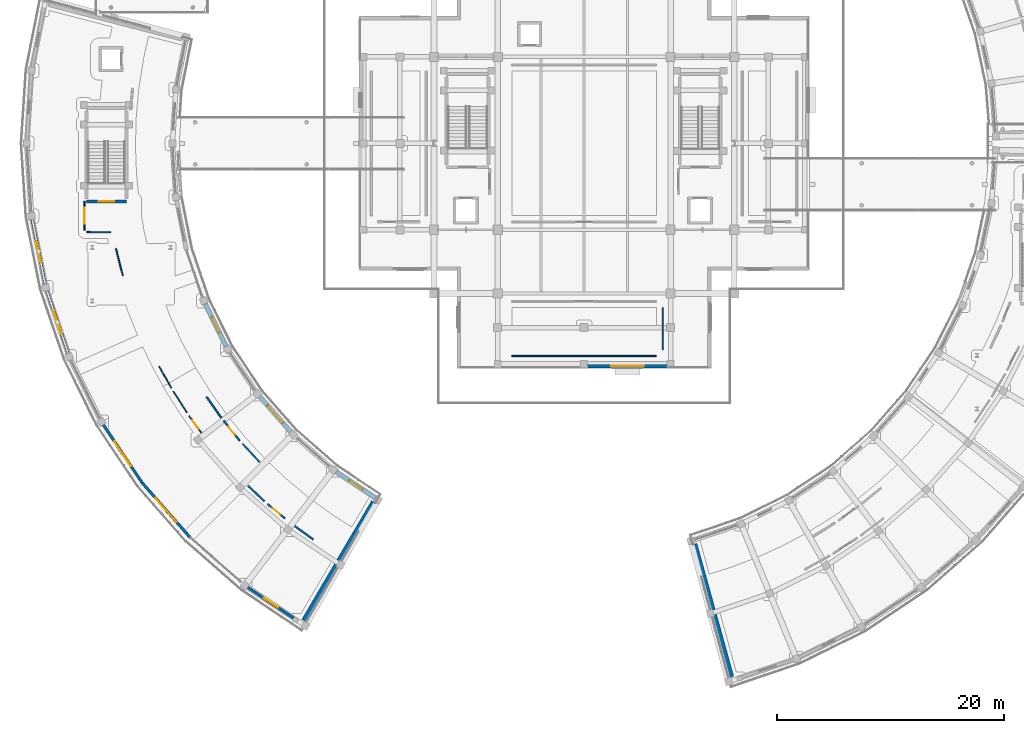
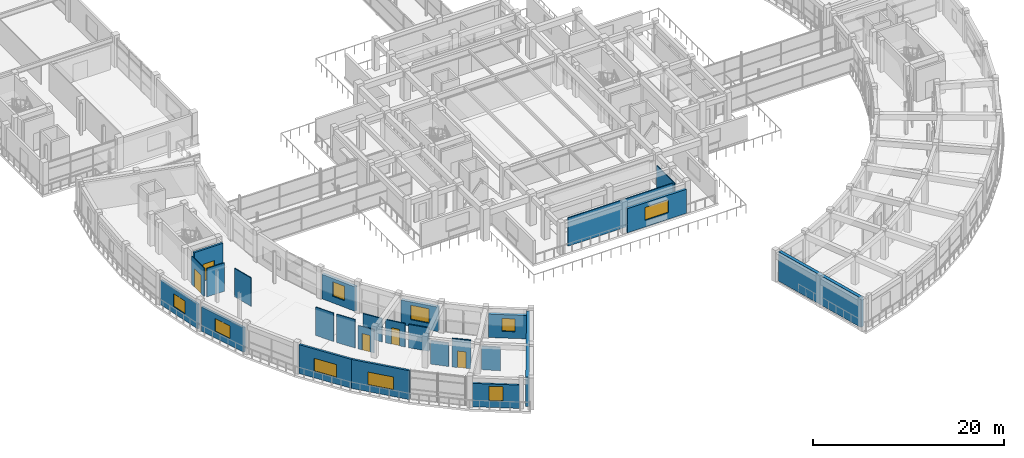
# One storey, part 47 of 72: 26 walls, 9 windows, 5 doors, 14 openings.
"""IFC4 building model written with IfcOpenShell, lengths in metres."""

from ifc_helpers import new_model, si_unit, direction, frame, frame_2d, origin, place, context, subcontext, project, spatial, rectangle, extrude, material, layer, layer_set, type_object, element, fill, save


model = new_model("IFC4")

# Units and contexts
model_context = context("Model", 3, precision=1e-05, world=origin(), true_north=direction((0.0, 1.0)))
body_context = subcontext(model_context, "Body", "Model", "MODEL_VIEW")
ifc_project = project(units=[si_unit("LENGTHUNIT", "METRE"), si_unit("AREAUNIT", "SQUARE_METRE"), si_unit("VOLUMEUNIT", "CUBIC_METRE"), si_unit("PLANEANGLEUNIT", "RADIAN"), si_unit("MASSUNIT", "GRAM", prefix="KILO")], contexts=[model_context])

# Site, building, storey
site_placement = place(None, origin())
site = spatial("IfcSite", under=ifc_project, at=site_placement, CompositionType="ELEMENT")
building_placement = place(site_placement, origin())
building = spatial("IfcBuilding", under=site, at=building_placement, Name="Saryqyr Civic Hall", CompositionType="ELEMENT")
storey_placement = place(building_placement, frame((0.0, 0.0, 17.25)))
storey = spatial("IfcBuildingStorey", under=building, at=storey_placement, Name="L04", CompositionType="ELEMENT", Elevation=17.25)

# Wall, opening, window
ifc_material_1 = material(Name="Precast concrete C40/50", Category="concrete")
ifc_layer_1 = layer(ifc_material_1, 0.239990234375, Name="Precast concrete C40/50")
ifc_layer_set_1 = layer_set([ifc_layer_1], Name="Precast concrete C40/50")
wall_type_1 = type_object("IfcWallType", Name="ENV-WAL-EXT-240", PredefinedType="STANDARD", material=ifc_layer_set_1)
wall_1_placement = place(storey_placement, frame((9.622802734375, 71.552978515625, 0.0), z_axis=(0.0, 0.0, 1.0), x_axis=(-0.195102625433, 0.980782833021, 0.0)))
wall_1 = element("IfcWall", 1, at=wall_1_placement, inside=storey, type_object=wall_type_1, Name="Exterior wall V4-EWO-L04-03", PredefinedType="STANDARD", context=body_context, shape_type="SweptSolid", body=[
    extrude(rectangle(XDim=5.93017578125, YDim=0.239990234375, at=frame_2d((2.965087890625, 0.0))), origin(), (0.0, 0.0, 1.0), 3.135009765625),
])
opening_1_placement = place(wall_1_placement, frame((2.0400390625, 0.0, 0.85009765625)))
opening_1 = element("IfcOpeningElement", 2, at=opening_1_placement, cuts=wall_1, Name="Opening W-20", PredefinedType="OPENING", context=body_context, shape_type="SweptSolid", body=[
    extrude(rectangle(XDim=1.85009765625, YDim=1.64990234375, at=frame_2d((0.925048828125, 0.824951171875))), frame((0.0, 0.1298828125, 0.0), z_axis=(0.0, -1.0, 0.0), x_axis=(1.0, 0.0, 0.0)), (0.0, 0.0, 1.0), 0.260009765625),
])
ifc_material_2 = material(Name="Anodised aluminium and triple low-E glass", Category="aluminium")
window_type_1 = type_object("IfcWindowType", Name="ENV-WIN-W20", PartitioningType="SINGLE_PANEL", PredefinedType="WINDOW", material=ifc_material_2)
window_1_placement = place(opening_1_placement, origin())
window_1 = element("IfcWindow", 3, at=window_1_placement, inside=storey, type_object=window_type_1, Name="Exterior ribbon window V4-L04-03", OverallHeight=1.64990234375, OverallWidth=1.85009765625, PartitioningType="SINGLE_PANEL", PredefinedType="WINDOW", context=body_context, shape_type="SweptSolid", body=[
    extrude(rectangle(XDim=1.85009765625, YDim=1.64990234375, at=frame_2d((0.925048828125, 0.824951171875))), frame((0.0, 0.030029296875, 0.0), z_axis=(0.0, -1.0, 0.0), x_axis=(1.0, 0.0, 0.0)), (0.0, 0.0, 1.0), 0.06005859375),
])
fill(opening_1, window_1)

wall_2_placement = place(storey_placement, frame((11.650146484375, 65.4833984375, 0.0), z_axis=(0.0, 0.0, 1.0), x_axis=(-0.321412703871, 0.946939213356, 0.0)))
wall_2 = element("IfcWall", 4, at=wall_2_placement, inside=storey, type_object=wall_type_1, Name="Exterior wall V4-EWO-L04-04", PredefinedType="STANDARD", context=body_context, shape_type="SweptSolid", body=[
    extrude(rectangle(XDim=5.913330078125, YDim=0.239990234375, at=frame_2d((2.95654296875, 0.0))), origin(), (0.0, 0.0, 1.0), 3.135009765625),
])
opening_2_placement = place(wall_2_placement, frame((1.906982421875, 0.0, 0.85009765625)))
opening_2 = element("IfcOpeningElement", 5, at=opening_2_placement, cuts=wall_2, Name="Opening W-21", PredefinedType="OPENING", context=body_context, shape_type="SweptSolid", body=[
    extrude(rectangle(XDim=2.10009765625, YDim=1.64990234375, at=frame_2d((1.050048828125, 0.824951171875))), frame((0.0, 0.1298828125, 0.0), z_axis=(0.0, -1.0, 0.0), x_axis=(1.0, 0.0, 0.0)), (0.0, 0.0, 1.0), 0.260009765625),
])
window_type_2 = type_object("IfcWindowType", Name="ENV-WIN-W21", PartitioningType="SINGLE_PANEL", PredefinedType="WINDOW", material=ifc_material_2)
window_2_placement = place(opening_2_placement, origin())
window_2 = element("IfcWindow", 6, at=window_2_placement, inside=storey, type_object=window_type_2, Name="Exterior ribbon window V4-L04-04", OverallHeight=1.64990234375, OverallWidth=2.10009765625, PartitioningType="SINGLE_PANEL", PredefinedType="WINDOW", context=body_context, shape_type="SweptSolid", body=[
    extrude(rectangle(XDim=2.10009765625, YDim=1.64990234375, at=frame_2d((1.050048828125, 0.824951171875))), frame((0.0, 0.030029296875, 0.0), z_axis=(0.0, -1.0, 0.0), x_axis=(1.0, 0.0, 0.0)), (0.0, 0.0, 1.0), 0.06005859375),
])
fill(opening_2, window_2)

wall_3_placement = place(storey_placement, frame((18.125732421875, 54.170654296875, 0.0), z_axis=(0.0, 0.0, 1.0), x_axis=(-0.555591845488, 0.831455170907, 0.0)))
wall_3 = element("IfcWall", 7, at=wall_3_placement, inside=storey, type_object=wall_type_1, Name="Exterior wall V4-EWO-L04-06", PredefinedType="STANDARD", context=body_context, shape_type="SweptSolid", body=[
    extrude(rectangle(XDim=6.126953125, YDim=0.239990234375, at=frame_2d((3.0634765625, 0.0))), origin(), (0.0, 0.0, 1.0), 3.699951171875),
])
opening_3_placement = place(wall_3_placement, frame((1.762939453125, 0.0, 0.85009765625)))
opening_3 = element("IfcOpeningElement", 8, at=opening_3_placement, cuts=wall_3, Name="Opening W-23", PredefinedType="OPENING", context=body_context, shape_type="SweptSolid", body=[
    extrude(rectangle(XDim=2.60009765625, YDim=1.64990234375, at=frame_2d((1.300048828125, 0.824951171875))), frame((0.0, 0.1298828125, 0.0), z_axis=(0.0, -1.0, 0.0), x_axis=(1.0, 0.0, 0.0)), (0.0, 0.0, 1.0), 0.260009765625),
])
window_type_3 = type_object("IfcWindowType", Name="ENV-WIN-W23", PartitioningType="SINGLE_PANEL", PredefinedType="WINDOW", material=ifc_material_2)
window_3_placement = place(opening_3_placement, origin())
window_3 = element("IfcWindow", 9, at=window_3_placement, inside=storey, type_object=window_type_3, Name="Exterior ribbon window V4-L04-06", OverallHeight=1.64990234375, OverallWidth=2.60009765625, PartitioningType="SINGLE_PANEL", PredefinedType="WINDOW", context=body_context, shape_type="SweptSolid", body=[
    extrude(rectangle(XDim=2.60009765625, YDim=1.64990234375, at=frame_2d((1.300048828125, 0.824951171875))), frame((0.0, 0.030029296875, 0.0), z_axis=(0.0, -1.0, 0.0), x_axis=(1.0, 0.0, 0.0)), (0.0, 0.0, 1.0), 0.06005859375),
])
fill(opening_3, window_3)

wall_4_placement = place(storey_placement, frame((22.351806640625, 49.351806640625, 0.0), z_axis=(0.0, 0.0, 1.0), x_axis=(-0.659350951881, 0.751835302612, 0.0)))
wall_4 = element("IfcWall", 10, at=wall_4_placement, inside=storey, type_object=wall_type_1, Name="Exterior wall V4-EWO-L04-07", PredefinedType="STANDARD", context=body_context, shape_type="SweptSolid", body=[
    extrude(rectangle(XDim=6.409423828125, YDim=0.239990234375, at=frame_2d((3.20458984375, 0.0))), origin(), (0.0, 0.0, 1.0), 3.699951171875),
])
opening_4_placement = place(wall_4_placement, frame((1.780029296875, 0.0, 0.85009765625)))
opening_4 = element("IfcOpeningElement", 11, at=opening_4_placement, cuts=wall_4, Name="Opening W-24", PredefinedType="OPENING", context=body_context, shape_type="SweptSolid", body=[
    extrude(rectangle(XDim=2.85009765625, YDim=1.64990234375, at=frame_2d((1.425048828125, 0.824951171875))), frame((0.0, 0.1298828125, 0.0), z_axis=(0.0, -1.0, 0.0), x_axis=(1.0, 0.0, 0.0)), (0.0, 0.0, 1.0), 0.260009765625),
])
window_type_4 = type_object("IfcWindowType", Name="ENV-WIN-W24", PartitioningType="SINGLE_PANEL", PredefinedType="WINDOW", material=ifc_material_2)
window_4_placement = place(opening_4_placement, origin())
window_4 = element("IfcWindow", 12, at=window_4_placement, inside=storey, type_object=window_type_4, Name="Exterior ribbon window V4-L04-07", OverallHeight=1.64990234375, OverallWidth=2.85009765625, PartitioningType="SINGLE_PANEL", PredefinedType="WINDOW", context=body_context, shape_type="SweptSolid", body=[
    extrude(rectangle(XDim=2.85009765625, YDim=1.64990234375, at=frame_2d((1.425048828125, 0.824951171875))), frame((0.0, 0.030029296875, 0.0), z_axis=(0.0, -1.0, 0.0), x_axis=(1.0, 0.0, 0.0)), (0.0, 0.0, 1.0), 0.06005859375),
])
fill(opening_4, window_4)

wall_5_placement = place(storey_placement, frame((31.49365234375, 42.2373046875, 0.0), z_axis=(0.0, 0.0, 1.0), x_axis=(-0.831469224941, 0.555570812747, 0.0)))
wall_5 = element("IfcWall", 13, at=wall_5_placement, inside=storey, type_object=wall_type_1, Name="Exterior wall V4-EWO-L04-09", PredefinedType="STANDARD", context=body_context, shape_type="SweptSolid", body=[
    extrude(rectangle(XDim=4.91650390625, YDim=0.239990234375, at=frame_2d((2.458251953125, 0.0))), origin(), (0.0, 0.0, 1.0), 2.985107421875),
])
opening_5_placement = place(wall_5_placement, frame((1.7080078125, 0.0, 0.85009765625)))
opening_5 = element("IfcOpeningElement", 14, at=opening_5_placement, cuts=wall_5, Name="Opening W-26", PredefinedType="OPENING", context=body_context, shape_type="SweptSolid", body=[
    extrude(rectangle(XDim=1.5, YDim=1.85009765625, at=frame_2d((0.75, 0.925048828125))), frame((0.0, 0.1298828125, 0.0), z_axis=(0.0, -1.0, 0.0), x_axis=(1.0, 0.0, 0.0)), (0.0, 0.0, 1.0), 0.260009765625),
])
window_type_5 = type_object("IfcWindowType", Name="ENV-WIN-W26", PartitioningType="SINGLE_PANEL", PredefinedType="WINDOW", material=ifc_material_2)
window_5_placement = place(opening_5_placement, origin())
window_5 = element("IfcWindow", 15, at=window_5_placement, inside=storey, type_object=window_type_5, Name="Exterior ribbon window V4-L04-09", OverallHeight=1.85009765625, OverallWidth=1.5, PartitioningType="SINGLE_PANEL", PredefinedType="WINDOW", context=body_context, shape_type="SweptSolid", body=[
    extrude(rectangle(XDim=1.5, YDim=1.85009765625, at=frame_2d((0.75, 0.925048828125))), frame((0.0, 0.030029296875, 0.0), z_axis=(0.0, -1.0, 0.0), x_axis=(1.0, 0.0, 0.0)), (0.0, 0.0, 1.0), 0.06005859375),
])
fill(opening_5, window_5)

ifc_layer_2 = layer(ifc_material_1, 0.2900390625, Name="Precast concrete C40/50")
ifc_layer_set_2 = layer_set([ifc_layer_2], Name="Precast concrete C40/50")
wall_type_2 = type_object("IfcWallType", Name="ENV-WAL-EXT-290", PredefinedType="STANDARD", material=ifc_layer_set_2)
wall_6_placement = place(storey_placement, frame((64.364990234375, 64.39990234375, 0.0), z_axis=(0.0, 0.0, 1.0), x_axis=(-1.0, 0.0, 0.0)))
wall_6 = element("IfcWall", 16, at=wall_6_placement, inside=storey, type_object=wall_type_2, Name="Exterior wall V1-EW-L04-11", PredefinedType="STANDARD", context=body_context, shape_type="SweptSolid", body=[
    extrude(rectangle(XDim=7.1298828125, YDim=0.2900390625, at=frame_2d((3.56494140625, 0.0))), origin(), (0.0, 0.0, 1.0), 3.0849609375),
])
opening_6_placement = place(wall_6_placement, frame((2.139892578125, 0.0, 0.85009765625)))
opening_6 = element("IfcOpeningElement", 17, at=opening_6_placement, cuts=wall_6, Name="Opening W-24", PredefinedType="OPENING", context=body_context, shape_type="SweptSolid", body=[
    extrude(rectangle(XDim=2.85009765625, YDim=1.64990234375, at=frame_2d((1.425048828125, 0.824951171875))), frame((0.0, 0.155029296875, 0.0), z_axis=(0.0, -1.0, 0.0), x_axis=(1.0, 0.0, 0.0)), (0.0, 0.0, 1.0), 0.31005859375),
])
window_6_placement = place(opening_6_placement, origin())
window_6 = element("IfcWindow", 18, at=window_6_placement, inside=storey, type_object=window_type_4, Name="Chamber cluster window L04-11", OverallHeight=1.64990234375, OverallWidth=2.85009765625, PartitioningType="SINGLE_PANEL", PredefinedType="WINDOW", context=body_context, shape_type="SweptSolid", body=[
    extrude(rectangle(XDim=2.85009765625, YDim=1.64990234375, at=frame_2d((1.425048828125, 0.824951171875))), frame((0.0, 0.030029296875, 0.0), z_axis=(0.0, -1.0, 0.0), x_axis=(1.0, 0.0, 0.0)), (0.0, 0.0, 1.0), 0.06005859375),
])
fill(opening_6, window_6)

ifc_layer_3 = layer(ifc_material_1, 0.340087890625, Name="Precast concrete C40/50")
ifc_layer_set_3 = layer_set([ifc_layer_3], Name="Precast concrete C40/50")
wall_type_3 = type_object("IfcWallType", Name="ENV-WAL-EXT-340", PredefinedType="STANDARD", material=ifc_layer_set_3)
wall_7_placement = place(storey_placement, frame((23.67138671875, 69.911865234375, 0.0), z_axis=(0.0, 0.0, 1.0), x_axis=(0.442290567666, -0.896871815676, 0.0)))
wall_7 = element("IfcWall", 19, at=wall_7_placement, inside=storey, type_object=wall_type_3, Name="Exterior wall V4-EWI-L04-05", PredefinedType="STANDARD", context=body_context, shape_type="SweptSolid", body=[
    extrude(rectangle(XDim=4.211181640625, YDim=0.340087890625, at=frame_2d((2.10546875, 0.0))), origin(), (0.0, 0.0, 1.0), 3.135009765625),
])
opening_7_placement = place(wall_7_placement, frame((1.35595703125, 0.0, 0.85009765625)))
opening_7 = element("IfcOpeningElement", 20, at=opening_7_placement, cuts=wall_7, Name="Opening W-26", PredefinedType="OPENING", context=body_context, shape_type="SweptSolid", body=[
    extrude(rectangle(XDim=1.5, YDim=1.85009765625, at=frame_2d((0.75, 0.925048828125))), frame((0.0, 0.179931640625, 0.0), z_axis=(0.0, -1.0, 0.0), x_axis=(1.0, 0.0, 0.0)), (0.0, 0.0, 1.0), 0.360107421875),
])
window_7_placement = place(opening_7_placement, origin())
window_7 = element("IfcWindow", 21, at=window_7_placement, inside=storey, type_object=window_type_5, Name="Courtyard window V4-L04-05", OverallHeight=1.85009765625, OverallWidth=1.5, PartitioningType="SINGLE_PANEL", PredefinedType="WINDOW", context=body_context, shape_type="SweptSolid", body=[
    extrude(rectangle(XDim=1.5, YDim=1.85009765625, at=frame_2d((0.75, 0.925048828125))), frame((0.0, 0.030029296875, 0.0), z_axis=(0.0, -1.0, 0.0), x_axis=(1.0, 0.0, 0.0)), (0.0, 0.0, 1.0), 0.06005859375),
])
fill(opening_7, window_7)

wall_8_placement = place(storey_placement, frame((28.48681640625, 61.727783203125, 0.0), z_axis=(0.0, 0.0, 1.0), x_axis=(0.659315893108, -0.751866047308, 0.0)))
wall_8 = element("IfcWall", 22, at=wall_8_placement, inside=storey, type_object=wall_type_3, Name="Exterior wall V4-EWI-L04-07", PredefinedType="STANDARD", context=body_context, shape_type="SweptSolid", body=[
    extrude(rectangle(XDim=4.10986328125, YDim=0.340087890625, at=frame_2d((2.054931640625, 0.0))), origin(), (0.0, 0.0, 1.0), 3.135009765625),
])
opening_8_placement = place(wall_8_placement, frame((1.054931640625, 0.0, 0.85009765625)))
opening_8 = element("IfcOpeningElement", 23, at=opening_8_placement, cuts=wall_8, Name="Opening W-28", PredefinedType="OPENING", context=body_context, shape_type="SweptSolid", body=[
    extrude(rectangle(XDim=2.0, YDim=1.85009765625, at=frame_2d((1.0, 0.925048828125))), frame((0.0, 0.179931640625, 0.0), z_axis=(0.0, -1.0, 0.0), x_axis=(1.0, 0.0, 0.0)), (0.0, 0.0, 1.0), 0.360107421875),
])
window_type_6 = type_object("IfcWindowType", Name="ENV-WIN-W28", PartitioningType="SINGLE_PANEL", PredefinedType="WINDOW", material=ifc_material_2)
window_8_placement = place(opening_8_placement, origin())
window_8 = element("IfcWindow", 24, at=window_8_placement, inside=storey, type_object=window_type_6, Name="Courtyard window V4-L04-07", OverallHeight=1.85009765625, OverallWidth=2.0, PartitioningType="SINGLE_PANEL", PredefinedType="WINDOW", context=body_context, shape_type="SweptSolid", body=[
    extrude(rectangle(XDim=2.0, YDim=1.85009765625, at=frame_2d((1.0, 0.925048828125))), frame((0.0, 0.030029296875, 0.0), z_axis=(0.0, -1.0, 0.0), x_axis=(1.0, 0.0, 0.0)), (0.0, 0.0, 1.0), 0.06005859375),
])
fill(opening_8, window_8)

wall_9_placement = place(storey_placement, frame((35.19775390625, 55.12353515625, 0.0), z_axis=(0.0, 0.0, 1.0), x_axis=(0.831482404849, -0.555551087144, 0.0)))
wall_9 = element("IfcWall", 25, at=wall_9_placement, inside=storey, type_object=wall_type_3, Name="Exterior wall V4-EWI-L04-09", PredefinedType="STANDARD", context=body_context, shape_type="SweptSolid", body=[
    extrude(rectangle(XDim=4.169921875, YDim=0.340087890625, at=frame_2d((2.0849609375, 0.0))), origin(), (0.0, 0.0, 1.0), 2.985107421875),
])
opening_9_placement = place(wall_9_placement, frame((1.385009765625, 0.0, 0.85009765625)))
opening_9 = element("IfcOpeningElement", 26, at=opening_9_placement, cuts=wall_9, Name="Opening W-18", PredefinedType="OPENING", context=body_context, shape_type="SweptSolid", body=[
    extrude(rectangle(XDim=1.39990234375, YDim=1.64990234375, at=frame_2d((0.699951171875, 0.824951171875))), frame((0.0, 0.179931640625, 0.0), z_axis=(0.0, -1.0, 0.0), x_axis=(1.0, 0.0, 0.0)), (0.0, 0.0, 1.0), 0.360107421875),
])
window_type_7 = type_object("IfcWindowType", Name="ENV-WIN-W18", PartitioningType="SINGLE_PANEL", PredefinedType="WINDOW", material=ifc_material_2)
window_9_placement = place(opening_9_placement, origin())
window_9 = element("IfcWindow", 27, at=window_9_placement, inside=storey, type_object=window_type_7, Name="Courtyard window V4-L04-09", OverallHeight=1.64990234375, OverallWidth=1.39990234375, PartitioningType="SINGLE_PANEL", PredefinedType="WINDOW", context=body_context, shape_type="SweptSolid", body=[
    extrude(rectangle(XDim=1.39990234375, YDim=1.64990234375, at=frame_2d((0.699951171875, 0.824951171875))), frame((0.0, 0.030029296875, 0.0), z_axis=(0.0, -1.0, 0.0), x_axis=(1.0, 0.0, 0.0)), (0.0, 0.0, 1.0), 0.06005859375),
])
fill(opening_9, window_9)

# Walls
ifc_material_3 = material(Name="Concrete C40/50", Category="concrete")
ifc_layer_4 = layer(ifc_material_3, 0.3798828125, Name="Concrete C40/50")
ifc_layer_set_4 = layer_set([ifc_layer_4], Name="Concrete C40/50")
wall_type_4 = type_object("IfcWallType", Name="ENV-WAL-PTY-380", PredefinedType="SHEAR", material=ifc_layer_set_4)
for number, where, z_axis, x_axis, name in (
    (28, (38.47705078125, 52.4912109375, 0.0), (0.0, 0.0, 1.0), (-0.506804958987, -0.862060748177, 0.0), "Exterior wall V4-JNTW-B-L04"),
    (29, (69.960205078125, 37.108154296875, 0.0), (0.0, 0.0, 1.0), (-0.266399016259, 0.963862834711, 0.0), "Exterior wall V5-JNTW-A-L04"),
):
    element("IfcWall", number, at=place(storey_placement, frame(where, z_axis=z_axis, x_axis=x_axis)), inside=storey, type_object=wall_type_4, Name=name, PredefinedType="SHEAR", context=body_context, shape_type="SweptSolid", body=[
        extrude(rectangle(XDim=12.099853515625, YDim=0.3798828125, at=frame_2d((6.0498046875, 0.0))), origin(), (0.0, 0.0, 1.0), 3.75),
    ])

# Wall, opening, door
ifc_material_4 = material(Name="Lightweight demountable partition", Category="gypsum")
ifc_layer_5 = layer(ifc_material_4, 0.094970703125, Name="Lightweight demountable partition")
ifc_layer_set_5 = layer_set([ifc_layer_5], Name="Lightweight demountable partition")
wall_type_5 = type_object("IfcWallType", Name="INT-WAL-PRT-095", PredefinedType="PARTITIONING", material=ifc_layer_set_5)
wall_10_placement = place(storey_placement, frame((22.274658203125, 60.030029296875, 0.0), z_axis=(0.0, 0.0, 1.0), x_axis=(0.589192228634, -0.807992894596, 0.0)))
wall_10 = element("IfcWall", 30, at=wall_10_placement, inside=storey, type_object=wall_type_5, Name="Interior partition PRT-SP-V4-L04-R02-W1", PredefinedType="PARTITIONING", context=body_context, shape_type="SweptSolid", body=[
    extrude(rectangle(XDim=1.81982421875, YDim=0.094970703125, at=frame_2d((0.909912109375, 0.0))), origin(), (0.0, 0.0, 1.0), 2.985107421875),
])
opening_10_placement = place(wall_10_placement, frame((0.4599609375, 0.0, 0.0)))
opening_10 = element("IfcOpeningElement", 31, at=opening_10_placement, cuts=wall_10, Name="Opening D-01", PredefinedType="OPENING", context=body_context, shape_type="SweptSolid", body=[
    extrude(rectangle(XDim=0.89990234375, YDim=2.10009765625, at=frame_2d((0.449951171875, 1.050048828125))), frame((0.0, 0.057373046875, 0.0), z_axis=(0.0, -1.0, 0.0), x_axis=(1.0, 0.0, 0.0)), (0.0, 0.0, 1.0), 0.114990234375),
])
ifc_material_5 = material(Name="Acoustic solid-core oak veneer", Category="wood")
door_type_1 = type_object("IfcDoorType", Name="INT-DR-D-01", OperationType="NOTDEFINED", PredefinedType="DOOR", material=ifc_material_5)
door_1_placement = place(opening_10_placement, origin())
door_1 = element("IfcDoor", 32, at=door_1_placement, inside=storey, type_object=door_type_1, Name="Interior door Canteen Servery & Finishing Kitchen", OperationType="SINGLE_SWING_LEFT", OverallHeight=2.10009765625, OverallWidth=0.89990234375, PredefinedType="DOOR", context=body_context, shape_type="SweptSolid", body=[
    extrude(rectangle(XDim=0.89990234375, YDim=2.10009765625, at=frame_2d((0.449951171875, 1.050048828125))), frame((0.0, 0.02490234375, 0.0), z_axis=(0.0, -1.0, 0.0), x_axis=(1.0, 0.0, 0.0)), (0.0, 0.0, 1.0), 0.050048828125),
])
fill(opening_10, door_1)

# Walls
wall_11_placement = place(storey_placement, frame((20.890380859375, 62.171142578125, 0.0), z_axis=(0.0, 0.0, 1.0), x_axis=(0.539325717733, -0.842097245092, 0.0)))
element("IfcWall", 33, at=wall_11_placement, inside=storey, type_object=wall_type_5, Name="Interior partition PRT-SP-V4-L04-R02-W2", PredefinedType="PARTITIONING", context=body_context, shape_type="SweptSolid", body=[
    extrude(rectangle(XDim=2.18994140625, YDim=0.094970703125, at=frame_2d((1.094970703125, 0.0))), origin(), (0.0, 0.0, 1.0), 3.6298828125),
])
wall_12_placement = place(storey_placement, frame((19.6376953125, 64.391845703125, 0.0), z_axis=(0.0, 0.0, 1.0), x_axis=(0.487553960074, -0.873092856469, 0.0)))
element("IfcWall", 34, at=wall_12_placement, inside=storey, type_object=wall_type_5, Name="Interior partition PRT-SP-V4-L04-R02-W3", PredefinedType="PARTITIONING", context=body_context, shape_type="SweptSolid", body=[
    extrude(rectangle(XDim=2.189697265625, YDim=0.094970703125, at=frame_2d((1.0947265625, 0.0))), origin(), (0.0, 0.0, 1.0), 3.6298828125),
])

# Wall, opening, door
ifc_material_6 = material(Name="Moisture-resistant gypsum partition", Category="gypsum")
ifc_layer_6 = layer(ifc_material_6, 0.110107421875, Name="Moisture-resistant gypsum partition")
ifc_layer_set_6 = layer_set([ifc_layer_6], Name="Moisture-resistant gypsum partition")
wall_type_6 = type_object("IfcWallType", Name="INT-WAL-PRT-110", PredefinedType="PARTITIONING", material=ifc_layer_set_6)
wall_13_placement = place(storey_placement, frame((13.080078125, 78.922119140625, 0.0), z_axis=(0.0, 0.0, 1.0), x_axis=(0.0, -1.0, 0.0)))
wall_13 = element("IfcWall", 35, at=wall_13_placement, inside=storey, type_object=wall_type_6, Name="Interior partition PRT-SP-V4-L04-R01-W1", PredefinedType="PARTITIONING", context=body_context, shape_type="SweptSolid", body=[
    extrude(rectangle(XDim=2.544189453125, YDim=0.110107421875, at=frame_2d((1.27197265625, 0.0))), origin(), (0.0, 0.0, 1.0), 3.6298828125),
])
opening_11_placement = place(wall_13_placement, frame((0.572021484375, 0.0, 0.0)))
opening_11 = element("IfcOpeningElement", 36, at=opening_11_placement, cuts=wall_13, Name="Opening D-18", PredefinedType="OPENING", context=body_context, shape_type="SweptSolid", body=[
    extrude(rectangle(XDim=1.39990234375, YDim=2.35009765625, at=frame_2d((0.699951171875, 1.175048828125))), frame((0.0, 0.06494140625, 0.0), z_axis=(0.0, -1.0, 0.0), x_axis=(1.0, 0.0, 0.0)), (0.0, 0.0, 1.0), 0.130126953125),
])
door_type_2 = type_object("IfcDoorType", Name="INT-DR-D-18", OperationType="NOTDEFINED", PredefinedType="DOOR", material=ifc_material_5)
door_2_placement = place(opening_11_placement, origin())
door_2 = element("IfcDoor", 37, at=door_2_placement, inside=storey, type_object=door_type_2, Name="Interior door Staff Dining Hall & Steppe Panorama Canteen", OperationType="SINGLE_SWING_RIGHT", OverallHeight=2.35009765625, OverallWidth=1.39990234375, PredefinedType="DOOR", context=body_context, shape_type="SweptSolid", body=[
    extrude(rectangle(XDim=1.39990234375, YDim=2.35009765625, at=frame_2d((0.699951171875, 1.175048828125))), frame((0.0, 0.02490234375, 0.0), z_axis=(0.0, -1.0, 0.0), x_axis=(1.0, 0.0, 0.0)), (0.0, 0.0, 1.0), 0.050048828125),
])
fill(opening_11, door_2)

# Walls
wall_14_placement = place(storey_placement, frame((15.375, 76.181396484375, 0.0), z_axis=(0.0, 0.0, 1.0), x_axis=(-0.999973557821, 0.007272115219, 0.0)))
element("IfcWall", 38, at=wall_14_placement, inside=storey, type_object=wall_type_6, Name="Interior partition PRT-SP-V4-L04-R01-W2", PredefinedType="PARTITIONING", context=body_context, shape_type="SweptSolid", body=[
    extrude(rectangle(XDim=2.114990234375, YDim=0.110107421875, at=frame_2d((1.0576171875, 0.0))), origin(), (0.0, 0.0, 1.0), 3.6298828125),
])
wall_15_placement = place(storey_placement, frame((15.830322265625, 74.75732421875, 0.0), z_axis=(0.0, 0.0, 1.0), x_axis=(0.247672160678, -0.968843899101, 0.0)))
element("IfcWall", 39, at=wall_15_placement, inside=storey, type_object=wall_type_6, Name="Interior partition PRT-SP-V4-L04-R01-W3", PredefinedType="PARTITIONING", context=body_context, shape_type="SweptSolid", body=[
    extrude(rectangle(XDim=2.481201171875, YDim=0.110107421875, at=frame_2d((1.24072265625, 0.0))), origin(), (0.0, 0.0, 1.0), 3.6298828125),
])
wall_16_placement = place(storey_placement, frame((63.35009765625, 65.300048828125, 0.0), z_axis=(0.0, 0.0, 1.0), x_axis=(-1.0, 0.0, 0.0)))
element("IfcWall", 40, at=wall_16_placement, inside=storey, type_object=wall_type_6, Name="Interior partition PRT-SP-V1-L04-R02-W2", PredefinedType="PARTITIONING", context=body_context, shape_type="SweptSolid", body=[
    extrude(rectangle(XDim=12.7001953125, YDim=0.110107421875, at=frame_2d((6.35009765625, 0.0))), origin(), (0.0, 0.0, 1.0), 3.6201171875),
])
wall_17_placement = place(storey_placement, frame((63.89990234375, 69.550048828125, 0.0), z_axis=(0.0, 0.0, 1.0), x_axis=(0.0, -1.0, 0.0)))
element("IfcWall", 41, at=wall_17_placement, inside=storey, type_object=wall_type_6, Name="Interior partition PRT-SP-V1-L04-R02-W3", PredefinedType="PARTITIONING", context=body_context, shape_type="SweptSolid", body=[
    extrude(rectangle(XDim=3.699951171875, YDim=0.110107421875, at=frame_2d((1.85009765625, 0.0))), origin(), (0.0, 0.0, 1.0), 3.0849609375),
])

# Wall, opening, door
ifc_material_7 = material(Name="Metal-stud gypsum board partition", Category="gypsum")
ifc_layer_7 = layer(ifc_material_7, 0.139892578125, Name="Metal-stud gypsum board partition")
ifc_layer_set_7 = layer_set([ifc_layer_7], Name="Metal-stud gypsum board partition")
wall_type_7 = type_object("IfcWallType", Name="INT-WAL-PRT-140", PredefinedType="PARTITIONING", material=ifc_layer_set_7)
wall_18_placement = place(storey_placement, frame((26.720703125, 57.870849609375, 0.0), z_axis=(0.0, 0.0, 1.0), x_axis=(-0.631919089096, 0.775034363649, 0.0)))
wall_18 = element("IfcWall", 42, at=wall_18_placement, inside=storey, type_object=wall_type_7, Name="Interior partition PRT-SP-V4-L04-R05-W1", PredefinedType="PARTITIONING", context=body_context, shape_type="SweptSolid", body=[
    extrude(rectangle(XDim=2.2294921875, YDim=0.139892578125, at=frame_2d((1.11474609375, 0.0))), origin(), (0.0, 0.0, 1.0), 2.985107421875),
])
opening_12_placement = place(wall_18_placement, frame((0.6650390625, 0.0, 0.0)))
opening_12 = element("IfcOpeningElement", 43, at=opening_12_placement, cuts=wall_18, Name="Opening D-01", PredefinedType="OPENING", context=body_context, shape_type="SweptSolid", body=[
    extrude(rectangle(XDim=0.89990234375, YDim=2.10009765625, at=frame_2d((0.449951171875, 1.050048828125))), frame((0.0, 0.079833984375, 0.0), z_axis=(0.0, -1.0, 0.0), x_axis=(1.0, 0.0, 0.0)), (0.0, 0.0, 1.0), 0.159912109375),
])
door_3_placement = place(opening_12_placement, origin())
door_3 = element("IfcDoor", 44, at=door_3_placement, inside=storey, type_object=door_type_1, Name="Interior door Staff Quiet Lounge & Prayer Room", OperationType="SINGLE_SWING_RIGHT", OverallHeight=2.10009765625, OverallWidth=0.89990234375, PredefinedType="DOOR", context=body_context, shape_type="SweptSolid", body=[
    extrude(rectangle(XDim=0.89990234375, YDim=2.10009765625, at=frame_2d((0.449951171875, 1.050048828125))), frame((0.0, 0.02490234375, 0.0), z_axis=(0.0, -1.0, 0.0), x_axis=(1.0, 0.0, 0.0)), (0.0, 0.0, 1.0), 0.050048828125),
])
fill(opening_12, door_3)

# Walls
wall_19_placement = place(storey_placement, frame((28.47509765625, 55.96630859375, 0.0), z_axis=(0.0, 0.0, 1.0), x_axis=(-0.680795385987, 0.732473646229, 0.0)))
element("IfcWall", 45, at=wall_19_placement, inside=storey, type_object=wall_type_7, Name="Interior partition PRT-SP-V4-L04-R05-W2", PredefinedType="PARTITIONING", context=body_context, shape_type="SweptSolid", body=[
    extrude(rectangle(XDim=2.229736328125, YDim=0.139892578125, at=frame_2d((1.11474609375, 0.0))), origin(), (0.0, 0.0, 1.0), 2.985107421875),
])
wall_20_placement = place(storey_placement, frame((25.093505859375, 59.885009765625, 0.0), z_axis=(0.0, 0.0, 1.0), x_axis=(-0.580533534735, 0.81423633857, 0.0)))
element("IfcWall", 46, at=wall_20_placement, inside=storey, type_object=wall_type_7, Name="Interior partition PRT-SP-V4-L04-R05-W3", PredefinedType="PARTITIONING", context=body_context, shape_type="SweptSolid", body=[
    extrude(rectangle(XDim=2.229248046875, YDim=0.139892578125, at=frame_2d((1.11474609375, 0.0))), origin(), (0.0, 0.0, 1.0), 2.985107421875),
])

# Wall, opening, door
ifc_material_8 = material(Name="Acoustic double-stud gypsum board", Category="gypsum")
ifc_layer_8 = layer(ifc_material_8, 0.169921875, Name="Acoustic double-stud gypsum board")
ifc_layer_set_8 = layer_set([ifc_layer_8], Name="Acoustic double-stud gypsum board")
wall_type_8 = type_object("IfcWallType", Name="INT-WAL-PRT-170", PredefinedType="PARTITIONING", material=ifc_layer_set_8)
wall_21_placement = place(storey_placement, frame((29.159423828125, 52.293701171875, 0.0), z_axis=(0.0, 0.0, 1.0), x_axis=(0.769718499722, -0.638383451528, 0.0)))
wall_21 = element("IfcWall", 47, at=wall_21_placement, inside=storey, type_object=wall_type_8, Name="Interior partition PRT-SP-V4-L04-R03-W1", PredefinedType="PARTITIONING", context=body_context, shape_type="SweptSolid", body=[
    extrude(rectangle(XDim=2.001953125, YDim=0.169921875, at=frame_2d((1.0009765625, 0.0))), origin(), (0.0, 0.0, 1.0), 3.6298828125),
])
opening_13_placement = place(wall_21_placement, frame((0.551025390625, 0.0, 0.0)))
opening_13 = element("IfcOpeningElement", 48, at=opening_13_placement, cuts=wall_21, Name="Opening D-01", PredefinedType="OPENING", context=body_context, shape_type="SweptSolid", body=[
    extrude(rectangle(XDim=0.89990234375, YDim=2.10009765625, at=frame_2d((0.449951171875, 1.050048828125))), frame((0.0, 0.094970703125, 0.0), z_axis=(0.0, -1.0, 0.0), x_axis=(1.0, 0.0, 0.0)), (0.0, 0.0, 1.0), 0.18994140625),
])
door_4_placement = place(opening_13_placement, origin())
door_4 = element("IfcDoor", 49, at=door_4_placement, inside=storey, type_object=door_type_1, Name="Interior door Staff Restroom & Accessible MGN WC L04-W", OperationType="SINGLE_SWING_RIGHT", OverallHeight=2.10009765625, OverallWidth=0.89990234375, PredefinedType="DOOR", context=body_context, shape_type="SweptSolid", body=[
    extrude(rectangle(XDim=0.89990234375, YDim=2.10009765625, at=frame_2d((0.449951171875, 1.050048828125))), frame((0.0, 0.02490234375, 0.0), z_axis=(0.0, -1.0, 0.0), x_axis=(1.0, 0.0, 0.0)), (0.0, 0.0, 1.0), 0.050048828125),
])
fill(opening_13, door_4)

# Walls
wall_22_placement = place(storey_placement, frame((31.56884765625, 50.341552734375, 0.0), z_axis=(0.0, 0.0, 1.0), x_axis=(0.809368427119, -0.587301242279, 0.0)))
element("IfcWall", 50, at=wall_22_placement, inside=storey, type_object=wall_type_8, Name="Interior partition PRT-SP-V4-L04-R03-W2", PredefinedType="PARTITIONING", context=body_context, shape_type="SweptSolid", body=[
    extrude(rectangle(XDim=2.001953125, YDim=0.169921875, at=frame_2d((1.0009765625, 0.0))), origin(), (0.0, 0.0, 1.0), 2.985107421875),
])
wall_23_placement = place(storey_placement, frame((27.44970703125, 53.893798828125, 0.0), z_axis=(0.0, 0.0, 1.0), x_axis=(0.726719319968, -0.686934516519, 0.0)))
element("IfcWall", 51, at=wall_23_placement, inside=storey, type_object=wall_type_8, Name="Interior partition PRT-SP-V4-L04-R03-W3", PredefinedType="PARTITIONING", context=body_context, shape_type="SweptSolid", body=[
    extrude(rectangle(XDim=1.982177734375, YDim=0.169921875, at=frame_2d((0.9912109375, 0.0))), origin(), (0.0, 0.0, 1.0), 2.985107421875),
])

# Wall, opening, door
ifc_layer_9 = layer(ifc_material_3, 0.25, Name="Concrete C40/50")
ifc_layer_set_9 = layer_set([ifc_layer_9], Name="Concrete C40/50")
wall_type_9 = type_object("IfcWallType", Name="INT-WAL-SHR-250", PredefinedType="SHEAR", material=ifc_layer_set_9)
wall_24_placement = place(storey_placement, frame((16.75, 78.89990234375, 0.0), z_axis=(0.0, 0.0, 1.0), x_axis=(-1.0, 0.0, 0.0)))
wall_24 = element("IfcWall", 52, at=wall_24_placement, inside=storey, type_object=wall_type_9, Name="Protected stair shaft wall ST-4-SW1-L04", PredefinedType="SHEAR", context=body_context, shape_type="SweptSolid", body=[
    extrude(rectangle(XDim=3.5, YDim=0.25, at=frame_2d((1.75, 0.0))), origin(), (0.0, 0.0, 1.0), 4.050048828125),
])
opening_14_placement = place(wall_24_placement, frame((1.074951171875, 0.0, 0.0)))
opening_14 = element("IfcOpeningElement", 53, at=opening_14_placement, cuts=wall_24, Name="Opening SD-01", PredefinedType="OPENING", context=body_context, shape_type="SweptSolid", body=[
    extrude(rectangle(XDim=1.35009765625, YDim=2.199951171875, at=frame_2d((0.675048828125, 1.10009765625))), frame((0.0, 0.135009765625, 0.0), z_axis=(0.0, -1.0, 0.0), x_axis=(1.0, 0.0, 0.0)), (0.0, 0.0, 1.0), 0.27001953125),
])
ifc_material_9 = material(Name="Painted galvanized steel", Category="steel")
door_type_3 = type_object("IfcDoorType", Name="INT-DR-STAIR-1350x2200", OperationType="NOTDEFINED", PredefinedType="DOOR", material=ifc_material_9)
door_5_placement = place(opening_14_placement, origin())
door_5 = element("IfcDoor", 54, at=door_5_placement, inside=storey, type_object=door_type_3, Name="Exit stair landing fire door ST-4-L04", OperationType="SINGLE_SWING_RIGHT", OverallHeight=2.199951171875, OverallWidth=1.35009765625, PredefinedType="DOOR", context=body_context, shape_type="SweptSolid", body=[
    extrude(rectangle(XDim=1.35009765625, YDim=2.199951171875, at=frame_2d((0.675048828125, 1.10009765625))), frame((0.0, 0.02490234375, 0.0), z_axis=(0.0, -1.0, 0.0), x_axis=(1.0, 0.0, 0.0)), (0.0, 0.0, 1.0), 0.050048828125),
])
fill(opening_14, door_5)

save(model, "model.ifc")
